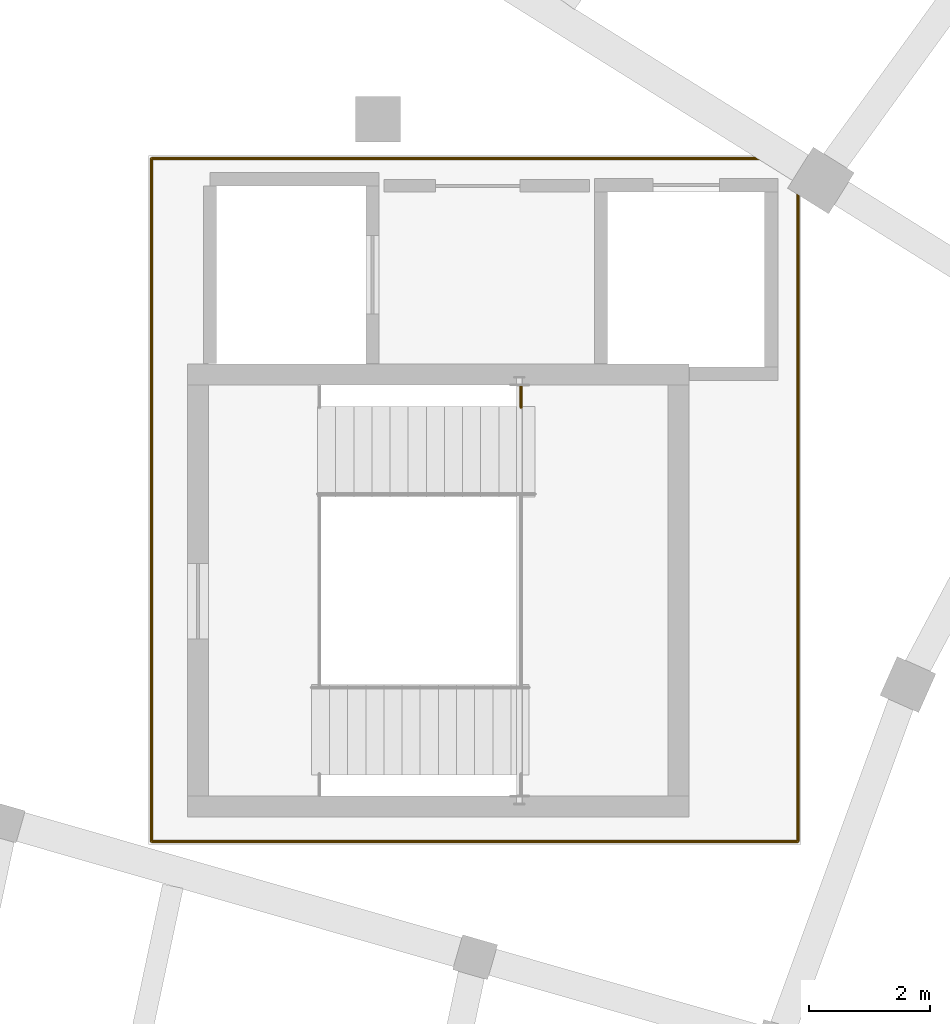
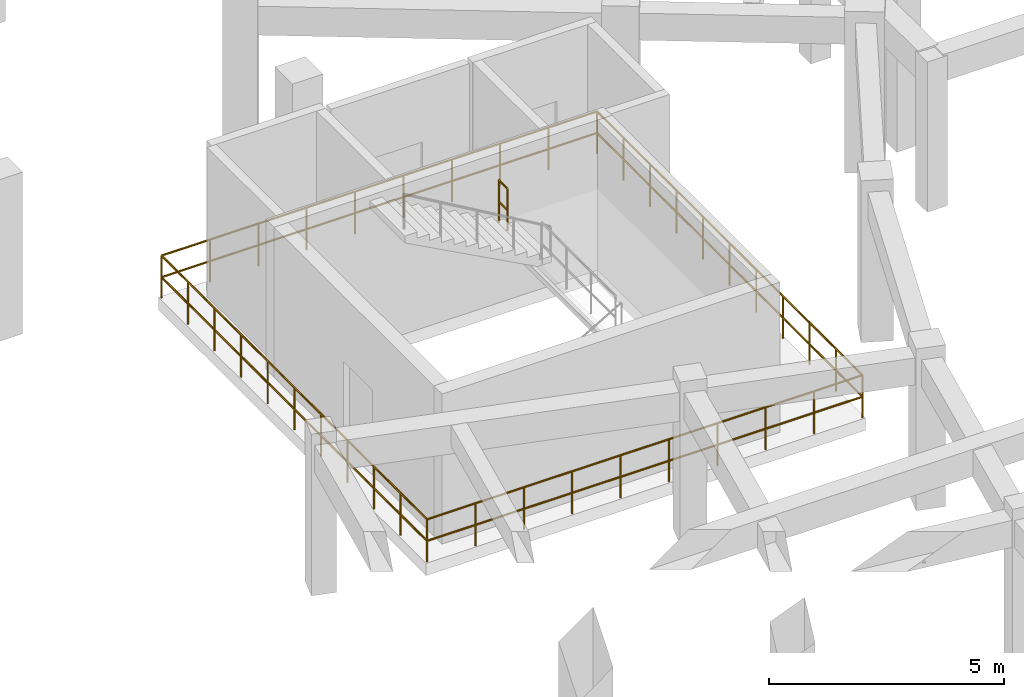
# One storey, part 30 of 35: 2 railings.
"""IFC4 building model written with IfcOpenShell, lengths in metres."""

from ifc_helpers import new_model, si_unit, direction, frame, origin, origin_2d, place, context, subcontext, project, spatial, circle, extrude, material, type_object, element, save


model = new_model("IFC4")

# Units and contexts
model_context = context("Model", 3, precision=1e-05, world=origin(), true_north=direction((0.0, 1.0)))
body_context = subcontext(model_context, "Body", "Model", "MODEL_VIEW")
ifc_project = project(units=[si_unit("LENGTHUNIT", "METRE"), si_unit("AREAUNIT", "SQUARE_METRE"), si_unit("VOLUMEUNIT", "CUBIC_METRE"), si_unit("PLANEANGLEUNIT", "RADIAN"), si_unit("MASSUNIT", "GRAM", prefix="KILO"), si_unit("THERMODYNAMICTEMPERATUREUNIT", "KELVIN"), si_unit("POWERUNIT", "WATT")], contexts=[model_context])

# Site, building, storey
site_placement = place(None, origin())
site = spatial("IfcSite", under=ifc_project, at=site_placement, CompositionType="ELEMENT")
building_placement = place(site_placement, origin())
building = spatial("IfcBuilding", under=site, at=building_placement, Name="Solvatero Civic Police Headquarters", CompositionType="ELEMENT")
storey_placement = place(building_placement, frame((0.0, 0.0, -4.199951171875)))
storey = spatial("IfcBuildingStorey", under=building, at=storey_placement, Name="B01", CompositionType="ELEMENT", Elevation=-4.199951171875)

# Railings
ifc_material = material(Name="Painted Galvanized Steel", Category="steel")
railing_type = type_object("IfcRailingType", Name="RL-GRD-110", PredefinedType="GUARDRAIL", material=ifc_material)
railing_1_placement = place(storey_placement, frame((46.169921875, 49.030029296875, 2.099853515625)))
element("IfcRailing", 1, at=railing_1_placement, inside=storey, type_object=railing_type, Name="ST-C2 B01 Half-Landing North Slot Guardrail", PredefinedType="GUARDRAIL", context=body_context, shape_type="SweptSolid", body=[
    extrude(circle(Radius=0.02392578125, at=origin_2d()), frame((0.0, 0.0, 1.09619140625), z_axis=(0.0, 1.0, 0.0), x_axis=(-1.0, 0.0, 0.0)), (0.0, 0.0, 1.0), 0.35986328125),
    extrude(circle(Radius=0.02392578125, at=origin_2d()), frame((0.0, 0.0, 0.5361328125), z_axis=(0.0, 1.0, 0.0), x_axis=(-1.0, 0.0, 0.0)), (0.0, 0.0, 1.0), 0.35986328125),
    extrude(circle(Radius=0.02099609375, at=origin_2d()), origin(), (0.0, 0.0, 1.0), 1.072021484375),
    extrude(circle(Radius=0.02099609375, at=origin_2d()), frame((0.0, 0.35986328125, 0.0)), (0.0, 0.0, 1.0), 1.072021484375),
])
railing_2_placement = place(storey_placement, frame((40.050048828125, 53.14990234375, 0.0)))
element("IfcRailing", 2, at=railing_2_placement, inside=storey, type_object=railing_type, Name="Deck Safety Guardrail RL-B01-C2-PERIM", PredefinedType="GUARDRAIL", context=body_context, shape_type="SweptSolid", body=[
    extrude(circle(Radius=0.02392578125, at=origin_2d()), frame((0.0, 0.0, 1.09619140625), z_axis=(0.0, -1.0, 0.0), x_axis=(1.0, 0.0, 0.0)), (0.0, 0.0, 1.0), 11.2998046875),
    extrude(circle(Radius=0.02392578125, at=origin_2d()), frame((0.0, 0.0, 0.5361328125), z_axis=(0.0, -1.0, 0.0), x_axis=(1.0, 0.0, 0.0)), (0.0, 0.0, 1.0), 11.2998046875),
    extrude(circle(Radius=0.02392578125, at=origin_2d()), frame((0.0, -11.2998046875, 1.09619140625), z_axis=(1.0, 0.0, 0.0), x_axis=(0.0, 1.0, 0.0)), (0.0, 0.0, 1.0), 10.699951171875),
    extrude(circle(Radius=0.02392578125, at=origin_2d()), frame((0.0, -11.2998046875, 0.5361328125), z_axis=(1.0, 0.0, 0.0), x_axis=(0.0, 1.0, 0.0)), (0.0, 0.0, 1.0), 10.699951171875),
    extrude(circle(Radius=0.02392578125, at=origin_2d()), frame((10.699951171875, -11.2998046875, 1.09619140625), z_axis=(0.0, 1.0, 0.0), x_axis=(-1.0, 0.0, 0.0)), (0.0, 0.0, 1.0), 11.2998046875),
    extrude(circle(Radius=0.02392578125, at=origin_2d()), frame((10.699951171875, -11.2998046875, 0.5361328125), z_axis=(0.0, 1.0, 0.0), x_axis=(-1.0, 0.0, 0.0)), (0.0, 0.0, 1.0), 11.2998046875),
    extrude(circle(Radius=0.02392578125, at=origin_2d()), frame((10.699951171875, 0.0, 1.09619140625), z_axis=(-1.0, 0.0, 0.0), x_axis=(0.0, -1.0, 0.0)), (0.0, 0.0, 1.0), 10.699951171875),
    extrude(circle(Radius=0.02392578125, at=origin_2d()), frame((10.699951171875, 0.0, 0.5361328125), z_axis=(-1.0, 0.0, 0.0), x_axis=(0.0, -1.0, 0.0)), (0.0, 0.0, 1.0), 10.699951171875),
    extrude(circle(Radius=0.02099609375, at=origin_2d()), origin(), (0.0, 0.0, 1.0), 1.072021484375),
    extrude(circle(Radius=0.02099609375, at=origin_2d()), frame((0.0, -1.1298828125, 0.0)), (0.0, 0.0, 1.0), 1.072021484375),
    extrude(circle(Radius=0.02099609375, at=origin_2d()), frame((0.0, -2.260009765625, 0.0)), (0.0, 0.0, 1.0), 1.072021484375),
    extrude(circle(Radius=0.02099609375, at=origin_2d()), frame((0.0, -3.389892578125, 0.0)), (0.0, 0.0, 1.0), 1.072021484375),
    extrude(circle(Radius=0.02099609375, at=origin_2d()), frame((0.0, -4.52001953125, 0.0)), (0.0, 0.0, 1.0), 1.072021484375),
    extrude(circle(Radius=0.02099609375, at=origin_2d()), frame((0.0, -5.64990234375, 0.0)), (0.0, 0.0, 1.0), 1.072021484375),
    extrude(circle(Radius=0.02099609375, at=origin_2d()), frame((0.0, -6.77978515625, 0.0)), (0.0, 0.0, 1.0), 1.072021484375),
    extrude(circle(Radius=0.02099609375, at=origin_2d()), frame((0.0, -7.909912109375, 0.0)), (0.0, 0.0, 1.0), 1.072021484375),
    extrude(circle(Radius=0.02099609375, at=origin_2d()), frame((0.0, -9.039794921875, 0.0)), (0.0, 0.0, 1.0), 1.072021484375),
    extrude(circle(Radius=0.02099609375, at=origin_2d()), frame((0.0, -10.169921875, 0.0)), (0.0, 0.0, 1.0), 1.072021484375),
    extrude(circle(Radius=0.02099609375, at=origin_2d()), frame((0.0, -11.2998046875, 0.0)), (0.0, 0.0, 1.0), 1.072021484375),
    extrude(circle(Radius=0.02099609375, at=origin_2d()), frame((1.18896484375, -11.2998046875, 0.0)), (0.0, 0.0, 1.0), 1.072021484375),
    extrude(circle(Radius=0.02099609375, at=origin_2d()), frame((2.377685546875, -11.2998046875, 0.0)), (0.0, 0.0, 1.0), 1.072021484375),
    extrude(circle(Radius=0.02099609375, at=origin_2d()), frame((3.566650390625, -11.2998046875, 0.0)), (0.0, 0.0, 1.0), 1.072021484375),
    extrude(circle(Radius=0.02099609375, at=origin_2d()), frame((4.755615234375, -11.2998046875, 0.0)), (0.0, 0.0, 1.0), 1.072021484375),
    extrude(circle(Radius=0.02099609375, at=origin_2d()), frame((5.9443359375, -11.2998046875, 0.0)), (0.0, 0.0, 1.0), 1.072021484375),
    extrude(circle(Radius=0.02099609375, at=origin_2d()), frame((7.13330078125, -11.2998046875, 0.0)), (0.0, 0.0, 1.0), 1.072021484375),
    extrude(circle(Radius=0.02099609375, at=origin_2d()), frame((8.322265625, -11.2998046875, 0.0)), (0.0, 0.0, 1.0), 1.072021484375),
    extrude(circle(Radius=0.02099609375, at=origin_2d()), frame((9.510986328125, -11.2998046875, 0.0)), (0.0, 0.0, 1.0), 1.072021484375),
    extrude(circle(Radius=0.02099609375, at=origin_2d()), frame((10.699951171875, -11.2998046875, 0.0)), (0.0, 0.0, 1.0), 1.072021484375),
    extrude(circle(Radius=0.02099609375, at=origin_2d()), frame((10.699951171875, -10.169921875, 0.0)), (0.0, 0.0, 1.0), 1.072021484375),
    extrude(circle(Radius=0.02099609375, at=origin_2d()), frame((10.699951171875, -9.039794921875, 0.0)), (0.0, 0.0, 1.0), 1.072021484375),
    extrude(circle(Radius=0.02099609375, at=origin_2d()), frame((10.699951171875, -7.909912109375, 0.0)), (0.0, 0.0, 1.0), 1.072021484375),
    extrude(circle(Radius=0.02099609375, at=origin_2d()), frame((10.699951171875, -6.77978515625, 0.0)), (0.0, 0.0, 1.0), 1.072021484375),
    extrude(circle(Radius=0.02099609375, at=origin_2d()), frame((10.699951171875, -5.64990234375, 0.0)), (0.0, 0.0, 1.0), 1.072021484375),
    extrude(circle(Radius=0.02099609375, at=origin_2d()), frame((10.699951171875, -4.52001953125, 0.0)), (0.0, 0.0, 1.0), 1.072021484375),
    extrude(circle(Radius=0.02099609375, at=origin_2d()), frame((10.699951171875, -3.389892578125, 0.0)), (0.0, 0.0, 1.0), 1.072021484375),
    extrude(circle(Radius=0.02099609375, at=origin_2d()), frame((10.699951171875, -2.260009765625, 0.0)), (0.0, 0.0, 1.0), 1.072021484375),
    extrude(circle(Radius=0.02099609375, at=origin_2d()), frame((10.699951171875, -1.1298828125, 0.0)), (0.0, 0.0, 1.0), 1.072021484375),
    extrude(circle(Radius=0.02099609375, at=origin_2d()), frame((10.699951171875, 0.0, 0.0)), (0.0, 0.0, 1.0), 1.072021484375),
    extrude(circle(Radius=0.02099609375, at=origin_2d()), frame((9.510986328125, 0.0, 0.0)), (0.0, 0.0, 1.0), 1.072021484375),
    extrude(circle(Radius=0.02099609375, at=origin_2d()), frame((8.322265625, 0.0, 0.0)), (0.0, 0.0, 1.0), 1.072021484375),
    extrude(circle(Radius=0.02099609375, at=origin_2d()), frame((7.13330078125, 0.0, 0.0)), (0.0, 0.0, 1.0), 1.072021484375),
    extrude(circle(Radius=0.02099609375, at=origin_2d()), frame((5.9443359375, 0.0, 0.0)), (0.0, 0.0, 1.0), 1.072021484375),
    extrude(circle(Radius=0.02099609375, at=origin_2d()), frame((4.755615234375, 0.0, 0.0)), (0.0, 0.0, 1.0), 1.072021484375),
    extrude(circle(Radius=0.02099609375, at=origin_2d()), frame((3.566650390625, 0.0, 0.0)), (0.0, 0.0, 1.0), 1.072021484375),
    extrude(circle(Radius=0.02099609375, at=origin_2d()), frame((2.377685546875, 0.0, 0.0)), (0.0, 0.0, 1.0), 1.072021484375),
    extrude(circle(Radius=0.02099609375, at=origin_2d()), frame((1.18896484375, 0.0, 0.0)), (0.0, 0.0, 1.0), 1.072021484375),
])

save(model, "model.ifc")
